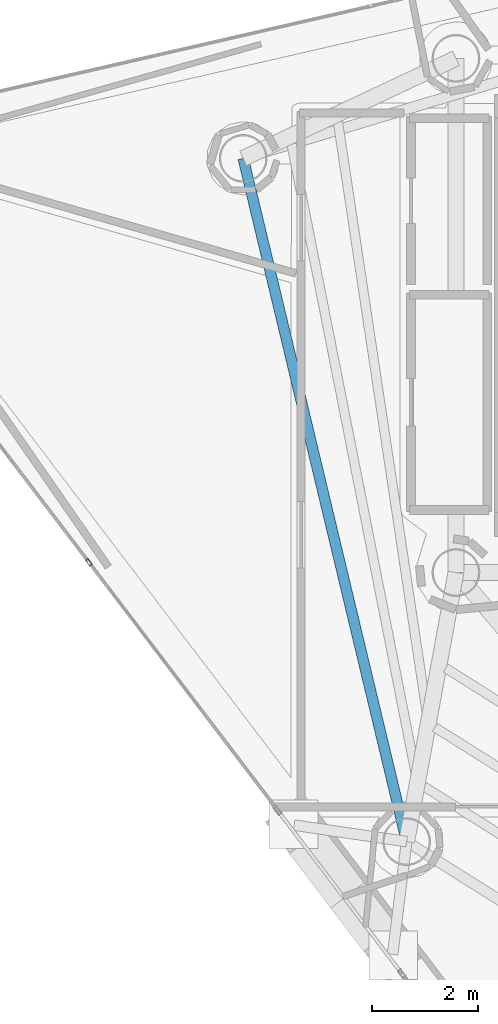
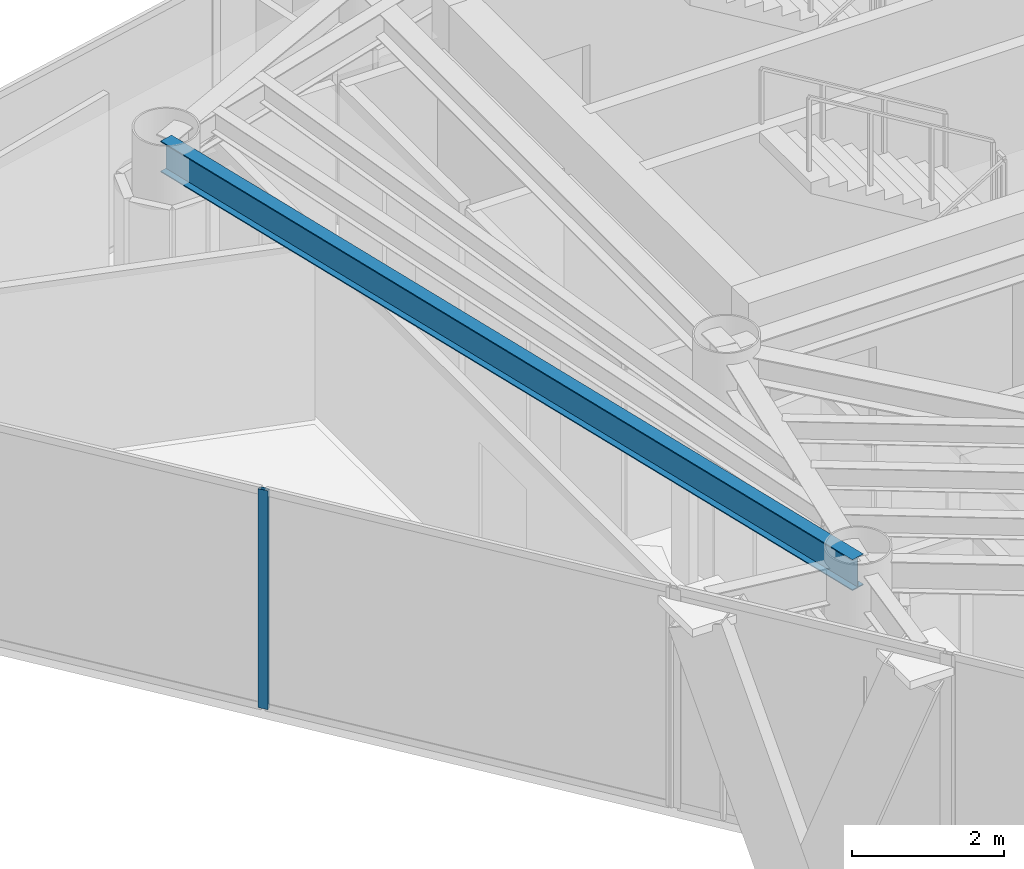
# One storey, part 7 of 24: 1 beam, 1 member, 1 element without a shape of its own.
"""IFC4 building model written with IfcOpenShell, lengths in metres."""

from ifc_helpers import new_model, si_unit, direction, frame, origin, origin_2d, place, context, subcontext, project, spatial, hollow_rectangle, i_section, extrude, material, layer, layer_set, material_profile, profile_set, type_object, element, aggregate, save


model = new_model("IFC4")

# Units and contexts
model_context = context("Model", 3, precision=1e-05, world=origin(), true_north=direction((0.0, 1.0)))
body_context = subcontext(model_context, "Body", "Model", "MODEL_VIEW")
ifc_project = project(units=[si_unit("LENGTHUNIT", "METRE"), si_unit("AREAUNIT", "SQUARE_METRE"), si_unit("VOLUMEUNIT", "CUBIC_METRE"), si_unit("PLANEANGLEUNIT", "RADIAN"), si_unit("MASSUNIT", "GRAM", prefix="KILO")], contexts=[model_context])

# Site, building, storey
site_placement = place(None, origin())
site = spatial("IfcSite", under=ifc_project, at=site_placement, CompositionType="ELEMENT")
building_placement = place(site_placement, origin())
building = spatial("IfcBuilding", under=site, at=building_placement, Name="Qianvela Tower", CompositionType="ELEMENT")
storey_placement = place(building_placement, frame((0.0, 0.0, 306.5)))
storey = spatial("IfcBuildingStorey", under=building, at=storey_placement, Name="L79", CompositionType="ELEMENT", Elevation=306.5)

# Beam
ifc_material_1 = material(Name="Steel Q355B", Category="steel")
ifc_material_profile_1 = material_profile(ifc_material_1, i_section(OverallWidth=0.199951171875, OverallDepth=0.5, WebThickness=0.010009765625, FlangeThickness=0.01611328125, at=origin_2d()), Name="HN500x200x10x16")
ifc_profile_set_1 = profile_set([ifc_material_profile_1], Name="Steel Q355B")
beam_type = type_object("IfcBeamType", Name="BM-HN500-GIRD", PredefinedType="BEAM", material=ifc_profile_set_1)
beam_placement = place(storey_placement, frame((24.5869140625, 31.6630859375, 3.26806640625), z_axis=(0.232631550142, -0.972564939672, 0.0), x_axis=(0.972564939672, 0.232631550142, 0.0)))
element("IfcBeam", 1, at=beam_placement, inside=storey, type_object=beam_type, Name="L79 Perimeter Ring Spandrel Girder 3", PredefinedType="BEAM", context=body_context, shape_type="SweptSolid", body=[
    extrude(i_section(OverallWidth=0.199951171875, OverallDepth=0.5, WebThickness=0.010009765625, FlangeThickness=0.01611328125, at=origin_2d()), origin(), (0.0, 0.0, 1.0), 13.252685546875),
])

# Curtain wall, member
ifc_material_2 = material(Name="Anodised Architectural Aluminium and Low-E Glass", Category="aluminium")
ifc_layer = layer(ifc_material_2, 0.14990234375)
ifc_layer_set = layer_set([ifc_layer], Name="Anodised Architectural Aluminium and Low-E Glass")
curtain_wall_type = type_object("IfcCurtainWallType", Name="CW-COLIV-Z78", PredefinedType="USERDEFINED", material=ifc_layer_set)
curtain_wall_placement = place(storey_placement, origin())
curtain_wall = element("IfcCurtainWall", 2, at=curtain_wall_placement, inside=storey, type_object=curtain_wall_type, Name="L79 CW-COLIV-Z78 Curtain Wall 04A", ObjectType="CURTAIN_WALL_SYSTEM", PredefinedType="USERDEFINED")
ifc_material_3 = material(Name="Anodised Architectural Aluminium 6063-T6", Category="aluminium")
ifc_material_profile_2 = material_profile(ifc_material_3, hollow_rectangle(XDim=0.06005859375, YDim=0.139892578125, WallThickness=0.00439453125, at=origin_2d()), Name="ALU-MULL-60x140")
ifc_profile_set_2 = profile_set([ifc_material_profile_2], Name="Anodised Architectural Aluminium 6063-T6")
member_type = type_object("IfcMemberType", Name="CW-COLIV-Z78-MULL", PredefinedType="MULLION", material=ifc_profile_set_2)
member_placement = place(storey_placement, frame((21.67431640625, 24.042236328125, 0.0), z_axis=(0.0, 0.0, 1.0), x_axis=(0.795688844812, 0.605705590399, 0.0)))
member = element("IfcMember", 3, at=member_placement, type_object=member_type, Name="CW-6 mullion 2", PredefinedType="MULLION", context=body_context, shape_type="SweptSolid", body=[
    extrude(hollow_rectangle(XDim=0.06005859375, YDim=0.139892578125, WallThickness=0.00439453125, at=origin_2d()), origin(), (0.0, 0.0, 1.0), 3.52001953125),
])
aggregate(curtain_wall, [member])

save(model, "model.ifc")
